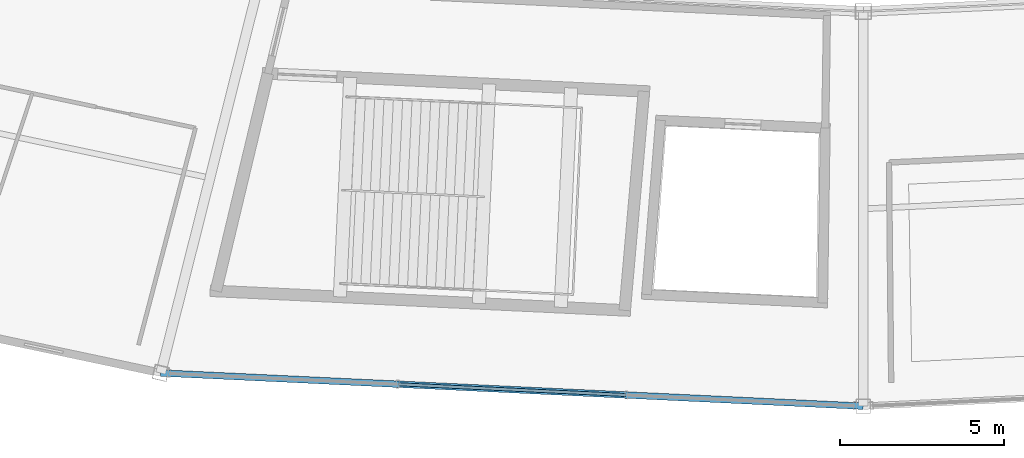
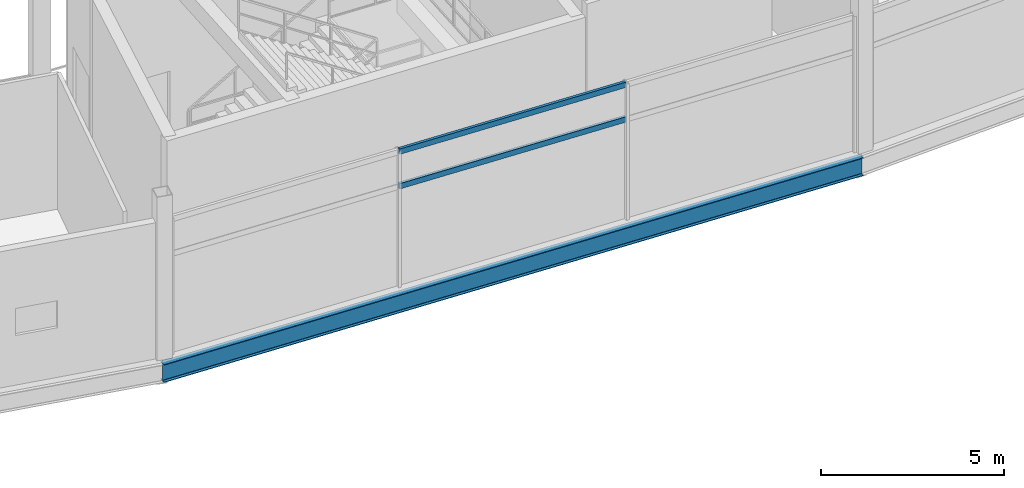
# One storey, part 25 of 103: 2 members, 1 beam, 1 element without a shape of its own.
"""IFC4 building model written with IfcOpenShell, lengths in metres."""

import ifcopenshell
import ifcopenshell.guid

model = None  # the IFC model being written
_history = None  # IfcOwnerHistory: only IFC2X3 demands one
_inside = {}  # id of a spatial element -> (the spatial element, [elements in it])
_under = {}  # id of a project, library or spatial element -> (it, [spatial elements below it])
_declared = {}  # id of a project -> (the project, [libraries it declares])
_typed = {}  # id of a type object -> (the type object, [elements of that type])
_made_of = {}  # id of a material, layer set ... -> (it, [elements and type objects made of it])


def new_model(schema):
    """Start an empty IFC model of exactly this schema.

    Asked for "IFC4X3", IfcOpenShell would pick the latest addendum, in which some entities
    have other attributes; the version numbers below select the first issue.
    IFC2X3 requires an IfcOwnerHistory on every rooted entity: one is made here for all.
    """
    global model, _history
    if schema == "IFC4X3":
        model = ifcopenshell.file(schema_version=(4, 3, 0, 0))
    else:
        model = ifcopenshell.file(schema=schema)
    _inside.clear()
    _under.clear()
    _declared.clear()
    _typed.clear()
    _made_of.clear()
    _history = None
    if model.schema == "IFC2X3":
        org = make("IfcOrganization", Name="unknown")
        user = make(
            "IfcPersonAndOrganization",
            ThePerson=make("IfcPerson", FamilyName="unknown"),
            TheOrganization=org,
        )
        app = make(
            "IfcApplication",
            ApplicationDeveloper=org,
            Version="unknown",
            ApplicationFullName="unknown",
            ApplicationIdentifier="unknown",
        )
        _history = make(
            "IfcOwnerHistory",
            OwningUser=user,
            OwningApplication=app,
            ChangeAction="ADDED",
            CreationDate=0,
        )
    return model


def make(cls, **values):
    """One entity of the class cls with the attributes given. An attribute that is None is left unset."""
    return model.create_entity(
        cls, **{name: value for name, value in values.items() if value is not None}
    )


def rooted(cls, **values):
    """An entity with a GlobalId (a new one), such as an element, a storey or a relation."""
    return make(cls, GlobalId=ifcopenshell.guid.new(), OwnerHistory=_history, **values)


def si_unit(unit_type, name, prefix=None):
    """IfcSIUnit, for example si_unit("LENGTHUNIT", "METRE", prefix="MILLI")."""
    return make("IfcSIUnit", UnitType=unit_type, Prefix=prefix, Name=name)


def assignment(units):
    """IfcUnitAssignment: the units of a project."""
    return None if units is None else make("IfcUnitAssignment", Units=units)


def point(xyz):
    """IfcCartesianPoint."""
    return None if xyz is None else make("IfcCartesianPoint", Coordinates=xyz)


def direction(xyz):
    """IfcDirection."""
    return None if xyz is None else make("IfcDirection", DirectionRatios=xyz)


def frame(location, z_axis=None, x_axis=None):
    """IfcAxis2Placement3D, a coordinate frame: its origin and axes. An axis left out is left unset."""
    return make(
        "IfcAxis2Placement3D",
        Location=point(location),
        Axis=direction(z_axis),
        RefDirection=direction(x_axis),
    )


def frame_2d(location, x_axis=None):
    """IfcAxis2Placement2D, a coordinate frame in the plane: its origin and x axis."""
    return make(
        "IfcAxis2Placement2D", Location=point(location), RefDirection=direction(x_axis)
    )


def origin():
    """The frame at (0, 0, 0) with its axes left unset."""
    return frame((0.0, 0.0, 0.0))


def origin_2d():
    """The frame at (0, 0) in the plane with its x axis left unset."""
    return frame_2d((0.0, 0.0))


def place(relative_to, where):
    """IfcLocalPlacement: puts the frame where relative to a parent placement (None: the world)."""
    return make(
        "IfcLocalPlacement", PlacementRelTo=relative_to, RelativePlacement=where
    )


def context(
    kind, dimensions, precision=None, world=None, true_north=None, identifier=None
):
    """IfcGeometricRepresentationContext, for example the 3D "Model" context."""
    return make(
        "IfcGeometricRepresentationContext",
        ContextIdentifier=identifier,
        ContextType=kind,
        CoordinateSpaceDimension=dimensions,
        Precision=precision,
        WorldCoordinateSystem=world,
        TrueNorth=true_north,
    )


def subcontext(parent, identifier, kind, view, scale=None):
    """IfcGeometricRepresentationSubContext, for example "Body" below "Model"."""
    return make(
        "IfcGeometricRepresentationSubContext",
        ContextIdentifier=identifier,
        ContextType=kind,
        ParentContext=parent,
        TargetScale=scale,
        TargetView=view,
    )


def project(units=None, contexts=None):
    """IfcProject with its units and contexts."""
    return rooted(
        "IfcProject",
        Name="project",
        RepresentationContexts=contexts,
        UnitsInContext=assignment(units),
    )


def spatial(cls, under=None, at=None, **own):
    """A site, building, storey or space (cls), placed at a placement, below another one or the project."""
    s = rooted(cls, ObjectPlacement=at, **own)
    if under is not None:
        _under.setdefault(under.id(), (under, []))[1].append(s)
    return s


def profile(cls, at=None, kind="AREA", **sizes):
    """A parametric profile (cls). Its sizes go by their IFC names, for example OverallWidth=200.0."""
    return make(cls, ProfileType=kind, Position=at, **sizes)


def hollow_rectangle(**sizes):
    """IfcRectangleHollowProfileDef."""
    return profile("IfcRectangleHollowProfileDef", **sizes)


def i_section(**sizes):
    """IfcIShapeProfileDef."""
    return profile("IfcIShapeProfileDef", **sizes)


def extrude(swept, where, along, depth):
    """IfcExtrudedAreaSolid: the profile swept, set in the frame where, extruded along a direction by depth."""
    return make(
        "IfcExtrudedAreaSolid",
        SweptArea=swept,
        Position=where,
        ExtrudedDirection=direction(along),
        Depth=depth,
    )


def shape(context_of_items, identifier, shape_type, items):
    """IfcShapeRepresentation: the items that make up one representation, for example the "Body"."""
    return make(
        "IfcShapeRepresentation",
        ContextOfItems=context_of_items,
        RepresentationIdentifier=identifier,
        RepresentationType=shape_type,
        Items=items,
    )


def material(Name=None, Category=None):
    """IfcMaterial."""
    return make("IfcMaterial", Name=Name, Category=Category)


def layer(
    of_material, thickness, ventilated=None, Name=None, Category=None, Priority=None
):
    """IfcMaterialLayer: one layer of a wall or slab, of a material (None: an air gap)."""
    return make(
        "IfcMaterialLayer",
        Material=of_material,
        LayerThickness=thickness,
        IsVentilated=ventilated,
        Name=Name,
        Category=Category,
        Priority=Priority,
    )


def layer_set(layers, Name=None):
    """IfcMaterialLayerSet."""
    return make("IfcMaterialLayerSet", MaterialLayers=layers, LayerSetName=Name)


def material_profile(
    of_material, cross_section, Name=None, Category=None, Priority=None
):
    """IfcMaterialProfile: a cross section and its material."""
    return make(
        "IfcMaterialProfile",
        Name=Name,
        Material=of_material,
        Profile=cross_section,
        Priority=Priority,
        Category=Category,
    )


def profile_set(profiles, Name=None, composite=None):
    """IfcMaterialProfileSet."""
    return make(
        "IfcMaterialProfileSet",
        Name=Name,
        MaterialProfiles=profiles,
        CompositeProfile=composite,
    )


def made_of(thing, what):
    """Note that an element or type object is made of a material, layer set ...; save() writes the relation."""
    if what is not None:
        _made_of.setdefault(what.id(), (what, []))[1].append(thing)
    return thing


def type_object(cls, material=None, **own):
    """A type object (cls), such as IfcWallType, which elements share."""
    return made_of(rooted(cls, **own), material)


def element(
    cls,
    number,
    at=None,
    inside=None,
    cuts=None,
    type_object=None,
    material=None,
    context=None,
    identifier="Body",
    shape_type=None,
    held_by="IfcProductDefinitionShape",
    body=None,
    shapes=None,
    **own,
):
    """One element of the class cls, such as IfcWall. Its Tag is "e" and its number.

    at: its placement. inside: the storey or other place that contains it. cuts: it is an
    opening in that element (IfcRelVoidsElement). A single representation is given by context,
    identifier, shape_type and body (its items); several are given by shapes. held_by: the class
    of the entity that holds the representations. save() writes the other relations.
    """
    e = rooted(cls, Tag="e%d" % number, ObjectPlacement=at, **own)
    if body is not None:
        shapes = [shape(context, identifier, shape_type, body)]
    if shapes is not None:
        e.Representation = make(held_by, Representations=shapes)
    if inside is not None:
        _inside.setdefault(inside.id(), (inside, []))[1].append(e)
    if cuts is not None:
        rooted(
            "IfcRelVoidsElement", RelatingBuildingElement=cuts, RelatedOpeningElement=e
        )
    if type_object is not None:
        _typed.setdefault(type_object.id(), (type_object, []))[1].append(e)
    return made_of(e, material)


def aggregate(whole, parts):
    """IfcRelAggregates: a whole, such as a stair, and the parts it consists of."""
    return rooted("IfcRelAggregates", RelatingObject=whole, RelatedObjects=parts)


def save(model, path):
    """Write the relations noted so far, then the file.

    IfcRelAggregates (storeys below a building ...), IfcRelContainedInSpatialStructure (elements
    in a storey), IfcRelDefinesByType, IfcRelAssociatesMaterial and IfcRelDeclares: one each for
    every whole, place, type object, material and project.
    """
    for whole, parts in _under.values():
        aggregate(whole, parts)
    for where, things in _inside.values():
        rooted(
            "IfcRelContainedInSpatialStructure",
            RelatedElements=things,
            RelatingStructure=where,
        )
    for kind, things in _typed.values():
        rooted("IfcRelDefinesByType", RelatedObjects=things, RelatingType=kind)
    for what, things in _made_of.values():
        rooted("IfcRelAssociatesMaterial", RelatedObjects=things, RelatingMaterial=what)
    for by, libraries in _declared.values():
        rooted("IfcRelDeclares", RelatingContext=by, RelatedDefinitions=libraries)
    model.write(path)


model = new_model("IFC4")

# Units and contexts
model_context = context("Model", 3, precision=1e-05, world=origin(), true_north=direction((0.0, 1.0)))
body_context = subcontext(model_context, "Body", "Model", "MODEL_VIEW")
ifc_project = project(units=[si_unit("LENGTHUNIT", "METRE"), si_unit("AREAUNIT", "SQUARE_METRE"), si_unit("VOLUMEUNIT", "CUBIC_METRE"), si_unit("PLANEANGLEUNIT", "RADIAN"), si_unit("MASSUNIT", "GRAM", prefix="KILO")], contexts=[model_context])

# Site, building, storey
site_placement = place(None, origin())
site = spatial("IfcSite", under=ifc_project, at=site_placement, CompositionType="ELEMENT")
building_placement = place(site_placement, origin())
building = spatial("IfcBuilding", under=site, at=building_placement, Name="Kazemori Nagisa Stadium", CompositionType="ELEMENT")
storey_placement = place(building_placement, frame((0.0, 0.0, 25.840087890625)))
storey = spatial("IfcBuildingStorey", under=building, at=storey_placement, Name="L05", CompositionType="ELEMENT", Elevation=25.840087890625)

# Beam
ifc_material_1 = material(Name="Steel SN490B", Category="steel")
ifc_material_profile_1 = material_profile(ifc_material_1, i_section(OverallWidth=0.199951171875, OverallDepth=0.60009765625, WebThickness=0.010986328125, FlangeThickness=0.01708984375, FilletRadius=0.012939453125, at=origin_2d()), Name="H-600x200x11x17")
ifc_profile_set_1 = profile_set([ifc_material_profile_1], Name="Steel SN490B")
beam_type = type_object("IfcBeamType", Name="Beam_BS-H600", PredefinedType="SPANDREL", material=ifc_profile_set_1)
beam_placement = place(storey_placement, frame((101.572265625, 17.01318359375, -0.56005859375), z_axis=(0.998883994571, -0.047230979144, 0.0), x_axis=(0.047230979144, 0.998883994571, 0.0)))
element("IfcBeam", 1, at=beam_placement, inside=storey, type_object=beam_type, Name="Ring girder BS-H600 L05 R3-21", PredefinedType="SPANDREL", context=body_context, shape_type="SweptSolid", body=[
    extrude(i_section(OverallWidth=0.199951171875, OverallDepth=0.60009765625, WebThickness=0.010986328125, FlangeThickness=0.01708984375, FilletRadius=0.012939453125, at=origin_2d()), origin(), (0.0, 0.0, 1.0), 21.45166015625),
])

# Curtain wall, members
ifc_material_2 = material(Name="Anodised aluminium 6063-T5", Category="aluminium")
ifc_layer = layer(ifc_material_2, 0.239990234375, Name="Anodised aluminium 6063-T5", Category="aluminium")
ifc_layer_set = layer_set([ifc_layer], Name="Anodised aluminium 6063-T5")
curtain_wall_type = type_object("IfcCurtainWallType", Name="CW_L05R3_105", PredefinedType="USERDEFINED", material=ifc_layer_set)
curtain_wall_placement = place(storey_placement, origin())
curtain_wall = element("IfcCurtainWall", 2, at=curtain_wall_placement, inside=storey, type_object=curtain_wall_type, Name="Unitised curtain wall CW-L05R3-105 L05", ObjectType="UNITISED CURTAIN WALL", PredefinedType="USERDEFINED")
ifc_material_3 = material(Name="Aluminium 6063-T5 anodised", Category="aluminium")
ifc_material_profile_2 = material_profile(ifc_material_3, hollow_rectangle(XDim=0.090087890625, YDim=0.179931640625, WallThickness=0.0048828125, at=origin_2d()), Name="ALU-TRAN-90x180x5")
ifc_profile_set_2 = profile_set([ifc_material_profile_2], Name="Aluminium 6063-T5 anodised")
member_type = type_object("IfcMemberType", Name="Transom_T03", PredefinedType="USERDEFINED", material=ifc_profile_set_2)
member_1_placement = place(storey_placement, frame((108.81982421875, 16.67041015625, 3.306884765625), z_axis=(0.998885105073, -0.047207487358, 0.0), x_axis=(0.047207487358, 0.998885105073, 0.0)))
member_1 = element("IfcMember", 3, at=member_1_placement, type_object=member_type, Name="Curtain wall transom CW-L05R3-105-T2-mid", ObjectType="TRANSOM", PredefinedType="USERDEFINED", context=body_context, shape_type="SweptSolid", body=[
    extrude(hollow_rectangle(XDim=0.090087890625, YDim=0.179931640625, WallThickness=0.0048828125, at=origin_2d()), origin(), (0.0, 0.0, 1.0), 6.9404296875),
])
member_2_placement = place(storey_placement, frame((108.81982421875, 16.67041015625, 4.4599609375), z_axis=(0.998885105073, -0.047207487358, 0.0), x_axis=(0.047207487358, 0.998885105073, 0.0)))
member_2 = element("IfcMember", 4, at=member_2_placement, type_object=member_type, Name="Curtain wall transom CW-L05R3-105-T2-head", ObjectType="TRANSOM", PredefinedType="USERDEFINED", context=body_context, shape_type="SweptSolid", body=[
    extrude(hollow_rectangle(XDim=0.090087890625, YDim=0.179931640625, WallThickness=0.0048828125, at=origin_2d()), origin(), (0.0, 0.0, 1.0), 6.9404296875),
])
aggregate(curtain_wall, [member_1, member_2])

save(model, "model.ifc")
